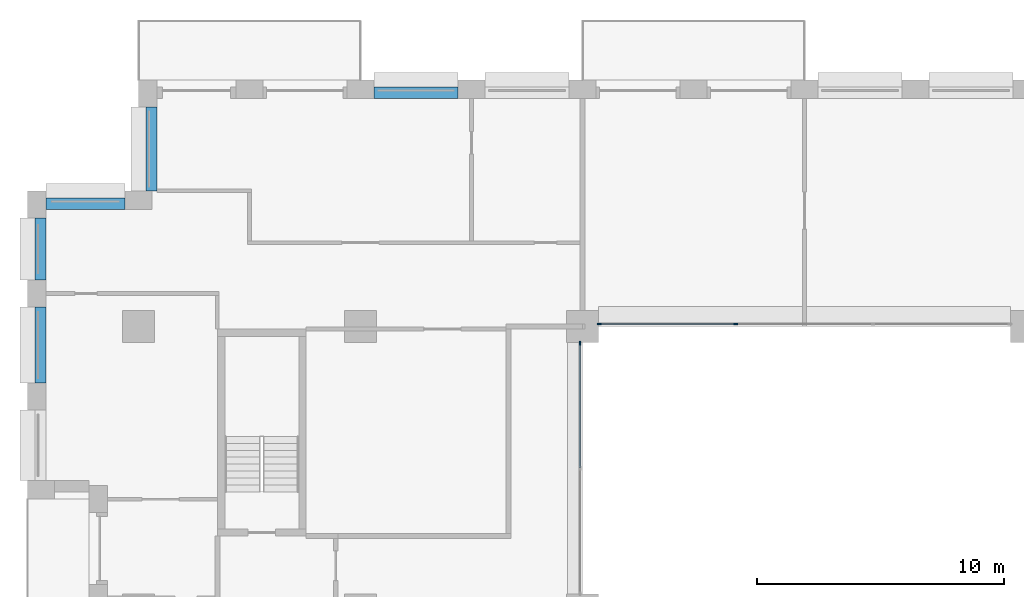
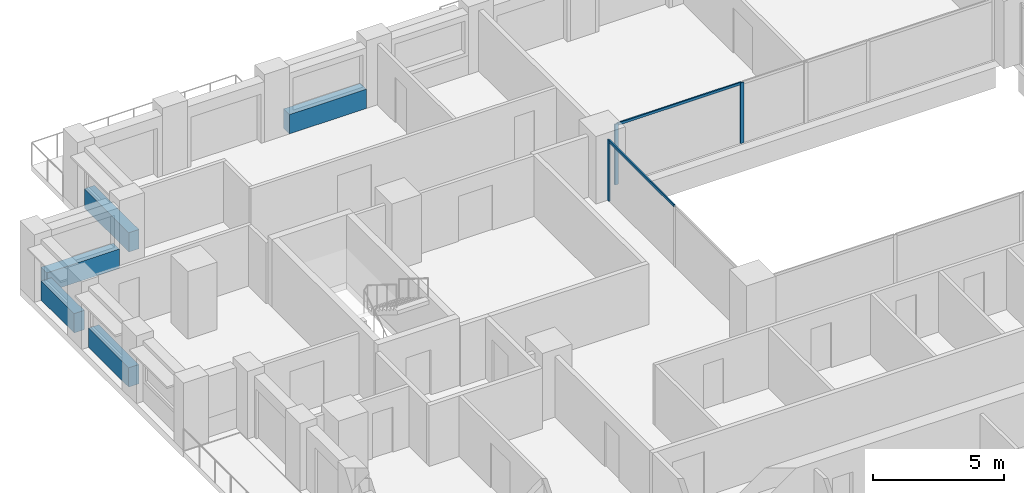
# One storey, part 5 of 16: 5 beams, 5 members, 2 elements without a shape of their own.
"""IFC4 building model written with IfcOpenShell, lengths in metres."""

from ifc_helpers import new_model, si_unit, direction, frame, origin, origin_2d, place, context, subcontext, project, spatial, rectangle, extrude, material, layer, layer_set, material_profile, profile_set, type_object, element, aggregate, save


model = new_model("IFC4")

# Units and contexts
model_context = context("Model", 3, precision=1e-05, world=origin(), true_north=direction((0.0, 1.0)))
body_context = subcontext(model_context, "Body", "Model", "MODEL_VIEW")
ifc_project = project(units=[si_unit("LENGTHUNIT", "METRE"), si_unit("AREAUNIT", "SQUARE_METRE"), si_unit("VOLUMEUNIT", "CUBIC_METRE"), si_unit("PLANEANGLEUNIT", "RADIAN"), si_unit("MASSUNIT", "GRAM", prefix="KILO")], contexts=[model_context])

# Site, building, storey
site_placement = place(None, origin())
site = spatial("IfcSite", under=ifc_project, at=site_placement, CompositionType="ELEMENT")
building_placement = place(site_placement, origin())
building = spatial("IfcBuilding", under=site, at=building_placement, Name="Brigalow Station Residences", CompositionType="ELEMENT")
storey_placement = place(building_placement, frame((0.0, 0.0, 108.75)))
storey = spatial("IfcBuildingStorey", under=building, at=storey_placement, Name="L31", CompositionType="ELEMENT", Elevation=108.75)

# Curtain wall, members
ifc_material_1 = material(Name="Aluminium", Category="aluminium")
ifc_layer = layer(ifc_material_1, 0.14990234375)
ifc_layer_set = layer_set([ifc_layer], Name="ATRIUM FIRE-RATED GLAZING CURTAIN WALL")
curtain_wall_type = type_object("IfcCurtainWallType", Name="ATRIUM FIRE-RATED GLAZING CURTAIN WALL", PredefinedType="NOTDEFINED", material=ifc_layer_set)
curtain_wall_1_placement = place(storey_placement, origin())
curtain_wall_1 = element("IfcCurtainWall", 1, at=curtain_wall_1_placement, inside=storey, type_object=curtain_wall_type, Name="L31/cw/atrium-N", PredefinedType="NOTDEFINED")
ifc_material_2 = material(Name="Aluminium", Category="aluminium")
ifc_material_profile_1 = material_profile(ifc_material_2, rectangle(XDim=0.06005859375, YDim=0.14990234375, at=origin_2d()), Name="ATRIUM FIRE-RATED GLAZING MULLION 60x150")
ifc_profile_set_1 = profile_set([ifc_material_profile_1], Name="Aluminium")
member_type_1 = type_object("IfcMemberType", Name="ATRIUM FIRE-RATED GLAZING MULLION 60x150", PredefinedType="MULLION", material=ifc_profile_set_1)
member_1_placement = place(storey_placement, frame((33.216796875, 35.60009765625, 0.0), z_axis=(0.0, 0.0, 1.0), x_axis=(0.0, -1.0, 0.0)))
member_1 = element("IfcMember", 2, at=member_1_placement, type_object=member_type_1, Name="L31/cw/atrium-N/M02", PredefinedType="MULLION", context=body_context, shape_type="SweptSolid", body=[
    extrude(rectangle(XDim=0.06005859375, YDim=0.14990234375, at=origin_2d()), origin(), (0.0, 0.0, 1.0), 2.830078125),
])
member_2_placement = place(storey_placement, frame((27.679931640625, 35.60009765625, 0.0), z_axis=(0.0, 0.0, 1.0), x_axis=(0.0, -1.0, 0.0)))
member_2 = element("IfcMember", 3, at=member_2_placement, type_object=member_type_1, Name="L31/cw/atrium-N/M03", PredefinedType="MULLION", context=body_context, shape_type="SweptSolid", body=[
    extrude(rectangle(XDim=0.06005859375, YDim=0.14990234375, at=origin_2d()), origin(), (0.0, 0.0, 1.0), 2.830078125),
])

# Curtain wall, member
curtain_wall_2_placement = place(storey_placement, origin())
curtain_wall_2 = element("IfcCurtainWall", 4, at=curtain_wall_2_placement, inside=storey, type_object=curtain_wall_type, Name="L31/cw/atrium-W", PredefinedType="NOTDEFINED")
member_3_placement = place(storey_placement, frame((26.89990234375, 34.820068359375, 0.0), z_axis=(0.0, 0.0, 1.0), x_axis=(1.0, 0.0, 0.0)))
member_3 = element("IfcMember", 5, at=member_3_placement, type_object=member_type_1, Name="L31/cw/atrium-W/M00", PredefinedType="MULLION", context=body_context, shape_type="SweptSolid", body=[
    extrude(rectangle(XDim=0.06005859375, YDim=0.14990234375, at=origin_2d()), origin(), (0.0, 0.0, 1.0), 2.830078125),
])

# Member
ifc_material_3 = material(Name="Aluminium", Category="aluminium")
ifc_material_profile_2 = material_profile(ifc_material_3, rectangle(XDim=0.06005859375, YDim=0.1201171875, at=origin_2d()), Name="ATRIUM FIRE-RATED GLAZING TRANSOM 60x120")
ifc_profile_set_2 = profile_set([ifc_material_profile_2], Name="Aluminium")
member_type_2 = type_object("IfcMemberType", Name="ATRIUM FIRE-RATED GLAZING TRANSOM 60x120", PredefinedType="USERDEFINED", material=ifc_profile_set_2)
member_4_placement = place(storey_placement, frame((33.186767578125, 35.60009765625, 2.800048828125), z_axis=(-1.0, 0.0, 0.0), x_axis=(0.0, -1.0, 0.0)))
member_4 = element("IfcMember", 6, at=member_4_placement, type_object=member_type_2, Name="L31/cw/atrium-N/T02-00", ObjectType="TRANSOM", PredefinedType="USERDEFINED", context=body_context, shape_type="SweptSolid", body=[
    extrude(rectangle(XDim=0.06005859375, YDim=0.1201171875, at=origin_2d()), origin(), (0.0, 0.0, 1.0), 5.476806640625),
])

aggregate(curtain_wall_1, [member_1, member_2, member_4])

member_5_placement = place(storey_placement, frame((26.89990234375, 34.7900390625, 2.800048828125), z_axis=(0.0, -1.0, 0.0), x_axis=(1.0, 0.0, 0.0)))
member_5 = element("IfcMember", 7, at=member_5_placement, type_object=member_type_2, Name="L31/cw/atrium-W/T00-00", ObjectType="TRANSOM", PredefinedType="USERDEFINED", context=body_context, shape_type="SweptSolid", body=[
    extrude(rectangle(XDim=0.06005859375, YDim=0.1201171875, at=origin_2d()), origin(), (0.0, 0.0, 1.0), 5.010009765625),
])

aggregate(curtain_wall_2, [member_3, member_5])

# Beams
ifc_material_4 = material(Name="Concrete C65", Category="concrete")
ifc_material_profile_3 = material_profile(ifc_material_4, rectangle(XDim=0.449951171875, YDim=0.89990234375, at=origin_2d()), Name="RC450x900")
ifc_profile_set_3 = profile_set([ifc_material_profile_3], Name="Concrete C65")
beam_type = type_object("IfcBeamType", Name="SPANDREL BEAM 450x900 C65", PredefinedType="SPANDREL", material=ifc_profile_set_3)
for number, where, z_axis, x_axis, name in (
    (8, (21.949951171875, 44.97509765625, 0.449951171875), (-1.0, 0.0, 0.0), (0.0, -1.0, 0.0), "L31/spandrel/W-L31-34"),
    (9, (9.52490234375, 44.39990234375, 0.449951171875), (0.0, -1.0, 0.0), (1.0, 0.0, 0.0), "L31/spandrel/W-L31-37"),
):
    element("IfcBeam", number, at=place(storey_placement, frame(where, z_axis=z_axis, x_axis=x_axis)), inside=storey, type_object=beam_type, Name=name, PredefinedType="SPANDREL", context=body_context, shape_type="SweptSolid", body=[
        extrude(rectangle(XDim=0.449951171875, YDim=0.89990234375, at=origin_2d()), origin(), (0.0, 0.0, 1.0), 3.39990234375),
    ])
beam_1_placement = place(storey_placement, frame((8.449951171875, 40.47509765625, 0.449951171875), z_axis=(-1.0, 0.0, 0.0), x_axis=(0.0, -1.0, 0.0)))
element("IfcBeam", 10, at=beam_1_placement, inside=storey, type_object=beam_type, Name="L31/spandrel/W-L31-38", PredefinedType="SPANDREL", context=body_context, shape_type="SweptSolid", body=[
    extrude(rectangle(XDim=0.449951171875, YDim=0.89990234375, at=origin_2d()), origin(), (0.0, 0.0, 1.0), 3.199951171875),
])
beam_2_placement = place(storey_placement, frame((5.02490234375, 39.89990234375, 0.449951171875), z_axis=(0.0, -1.0, 0.0), x_axis=(1.0, 0.0, 0.0)))
element("IfcBeam", 11, at=beam_2_placement, inside=storey, type_object=beam_type, Name="L31/spandrel/W-L31-39", PredefinedType="SPANDREL", context=body_context, shape_type="SweptSolid", body=[
    extrude(rectangle(XDim=0.449951171875, YDim=0.89990234375, at=origin_2d()), origin(), (0.0, 0.0, 1.0), 2.516845703125),
])
beam_3_placement = place(storey_placement, frame((5.02490234375, 36.282958984375, 0.449951171875), z_axis=(0.0, -1.0, 0.0), x_axis=(1.0, 0.0, 0.0)))
element("IfcBeam", 12, at=beam_3_placement, inside=storey, type_object=beam_type, Name="L31/spandrel/W-L31-40", PredefinedType="SPANDREL", context=body_context, shape_type="SweptSolid", body=[
    extrude(rectangle(XDim=0.449951171875, YDim=0.89990234375, at=origin_2d()), origin(), (0.0, 0.0, 1.0), 3.06591796875),
])

save(model, "model.ifc")
